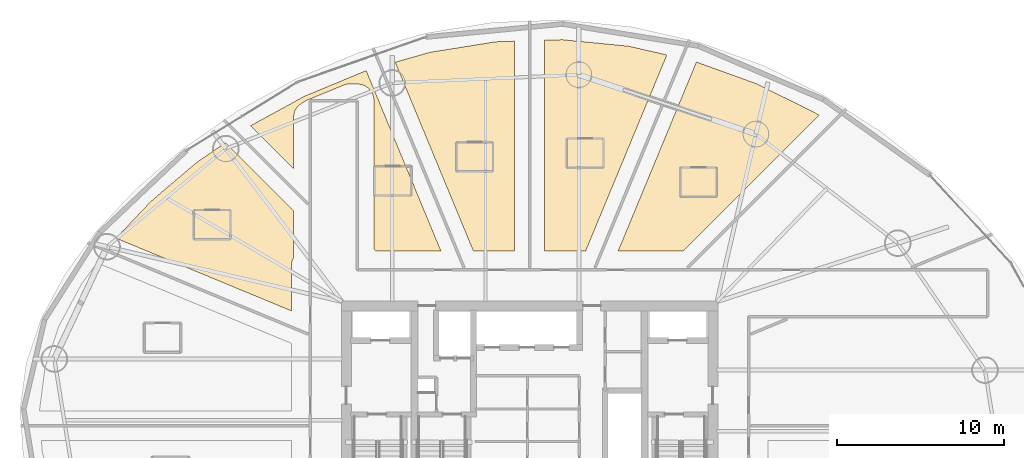
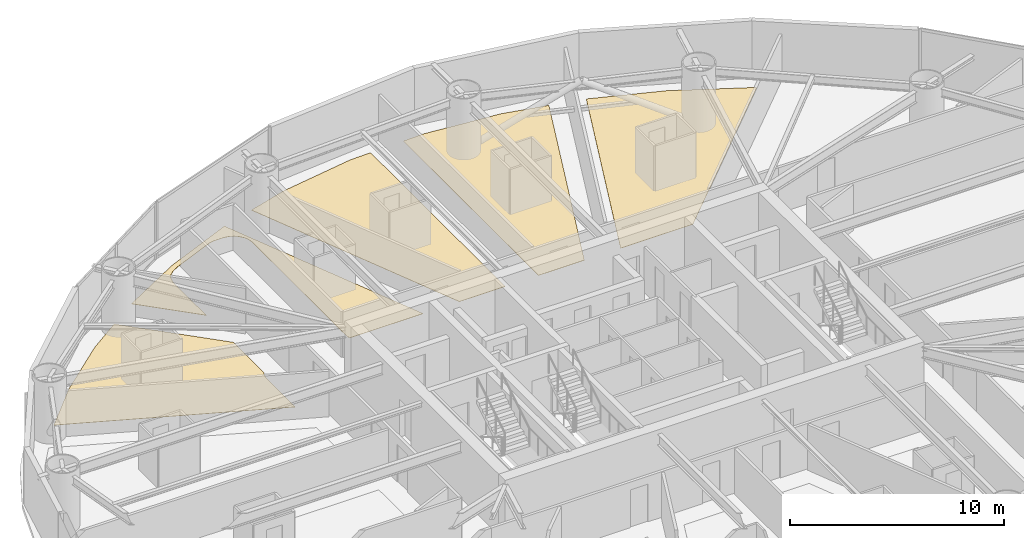
# One storey, part 27 of 27: 5 coverings.
"""IFC4 building model written with IfcOpenShell, lengths in metres."""

from ifc_helpers import new_model, si_unit, direction, frame, origin, place, context, subcontext, project, spatial, polyline, outline, extrude, material, layer, layer_set, type_object, element, save


model = new_model("IFC4")

# Units and contexts
model_context = context("Model", 3, precision=1e-05, world=origin(), true_north=direction((0.0, 1.0)))
body_context = subcontext(model_context, "Body", "Model", "MODEL_VIEW")
ifc_project = project(units=[si_unit("LENGTHUNIT", "METRE"), si_unit("AREAUNIT", "SQUARE_METRE"), si_unit("VOLUMEUNIT", "CUBIC_METRE"), si_unit("PLANEANGLEUNIT", "RADIAN"), si_unit("MASSUNIT", "GRAM", prefix="KILO")], contexts=[model_context])

# Site, building, storey
site_placement = place(None, origin())
site = spatial("IfcSite", under=ifc_project, at=site_placement, CompositionType="ELEMENT")
building_placement = place(site_placement, origin())
building = spatial("IfcBuilding", under=site, at=building_placement, Name="Bramvorn Convention Spire", CompositionType="ELEMENT")
storey_placement = place(building_placement, frame((0.0, 0.0, 44.89990234375)))
storey = spatial("IfcBuildingStorey", under=building, at=storey_placement, Name="L08", CompositionType="ELEMENT", Elevation=44.89990234375)

# Coverings
ifc_material = material(Name="Solution-Dyed Wool Broadloom Hospitality Carpet", Category="textile")
ifc_layer = layer(ifc_material, 0.014892578125)
ifc_layer_set = layer_set([ifc_layer], Name="Solution-Dyed Wool Broadloom Hospitality Carpet - FLR-CARPET-15")
covering_type = type_object("IfcCoveringType", Name="FLR-CARPET-15", PredefinedType="FLOORING", material=ifc_layer_set)
covering_1_placement = place(storey_placement, origin())
element("IfcCovering", 1, at=covering_1_placement, inside=storey, type_object=covering_type, Name="Hotel Suite 0803 wool broadloom carpet", PredefinedType="FLOORING", context=body_context, shape_type="SweptSolid", body=[
    extrude(outline(polyline([(43.323486328125, 36.5), (47.227294921875, 36.5), (55.370849609375, 44.643798828125), (55.1845703125, 44.762451171875), (51.631591796875, 46.526123046875), (48.01708984375, 47.83203125), (43.323486328125, 36.5)])), origin(), (0.0, 0.0, 1.0), 0.01513671875),
])
covering_2_placement = place(storey_placement, origin())
element("IfcCovering", 2, at=covering_2_placement, inside=storey, type_object=covering_type, Name="Hotel Suite 0804 wool broadloom carpet", PredefinedType="FLOORING", context=body_context, shape_type="SweptSolid", body=[
    extrude(outline(polyline([(39.969482421875, 49.172607421875), (38.89990234375, 49.138916015625), (38.89990234375, 36.5), (41.375, 36.5), (46.2451171875, 48.257568359375), (43.9599609375, 48.781005859375), (39.969482421875, 49.172607421875)])), origin(), (0.0, 0.0, 1.0), 0.01513671875),
])
covering_3_placement = place(storey_placement, origin())
element("IfcCovering", 3, at=covering_3_placement, inside=storey, type_object=covering_type, Name="Hotel Suite 0805 wool broadloom carpet", PredefinedType="FLOORING", context=body_context, shape_type="SweptSolid", body=[
    extrude(outline(polyline([(32.002197265625, 48.412109375), (29.93701171875, 47.8173828125), (34.625, 36.5), (37.10009765625, 36.5), (37.10009765625, 49.082275390625), (35.961669921875, 49.04638671875), (32.002197265625, 48.412109375)])), origin(), (0.0, 0.0, 1.0), 0.01513671875),
])
covering_4_placement = place(storey_placement, origin())
element("IfcCovering", 4, at=covering_4_placement, inside=storey, type_object=covering_type, Name="Hotel Suite 0806 wool broadloom carpet", PredefinedType="FLOORING", context=body_context, shape_type="SweptSolid", body=[
    extrude(outline(polyline([(23.830078125, 41.44287109375), (23.83154296875, 44.5478515625), (23.923583984375, 44.919189453125), (24.085693359375, 45.16748046875), (24.31201171875, 45.35888671875), (24.623291015625, 45.529052734375), (26.949951171875, 46.487548828125), (27.16015625, 46.518798828125), (27.705810546875, 46.518310546875), (27.988037109375, 46.462158203125), (28.179443359375, 46.37158203125), (28.33935546875, 46.251708984375), (28.521728515625, 46.029296875), (28.6123046875, 45.837890625), (28.668212890625, 45.555908203125), (28.669921875, 36.602783203125), (28.772705078125, 36.5), (32.676513671875, 36.5), (28.196533203125, 47.31591796875), (24.495361328125, 45.780517578125), (21.263427734375, 44.009521484375), (23.830078125, 41.44287109375)])), origin(), (0.0, 0.0, 1.0), 0.01513671875),
])
covering_5_placement = place(storey_placement, origin())
element("IfcCovering", 5, at=covering_5_placement, inside=storey, type_object=covering_type, Name="Hotel Suite 0807 wool broadloom carpet", PredefinedType="FLOORING", context=body_context, shape_type="SweptSolid", body=[
    extrude(outline(polyline([(23.699951171875, 32.8974609375), (23.699951171875, 35.60009765625), (23.73876953125, 35.861328125), (23.830078125, 36.063720703125), (23.830078125, 38.897216796875), (19.741455078125, 42.98583984375), (17.98193359375, 41.772705078125), (15.253173828125, 39.447509765625), (13.182373046875, 37.25390625), (23.699951171875, 32.8974609375)])), origin(), (0.0, 0.0, 1.0), 0.01513671875),
])

save(model, "model.ifc")
